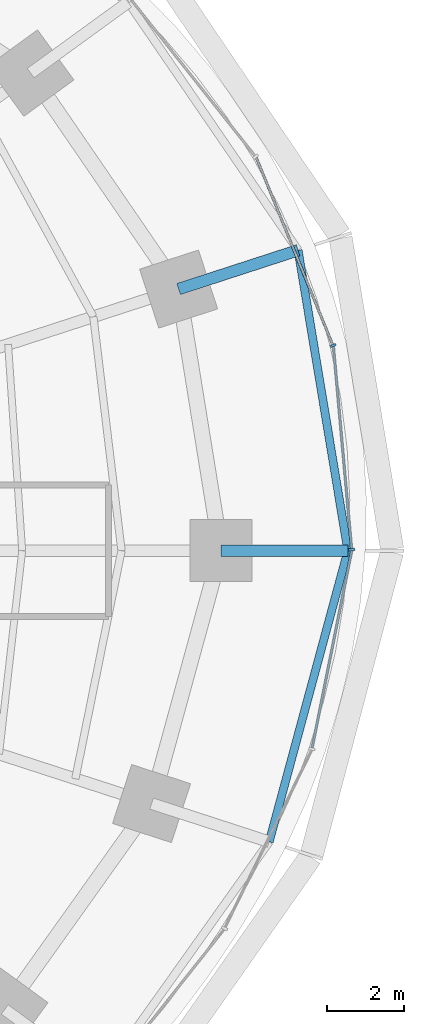
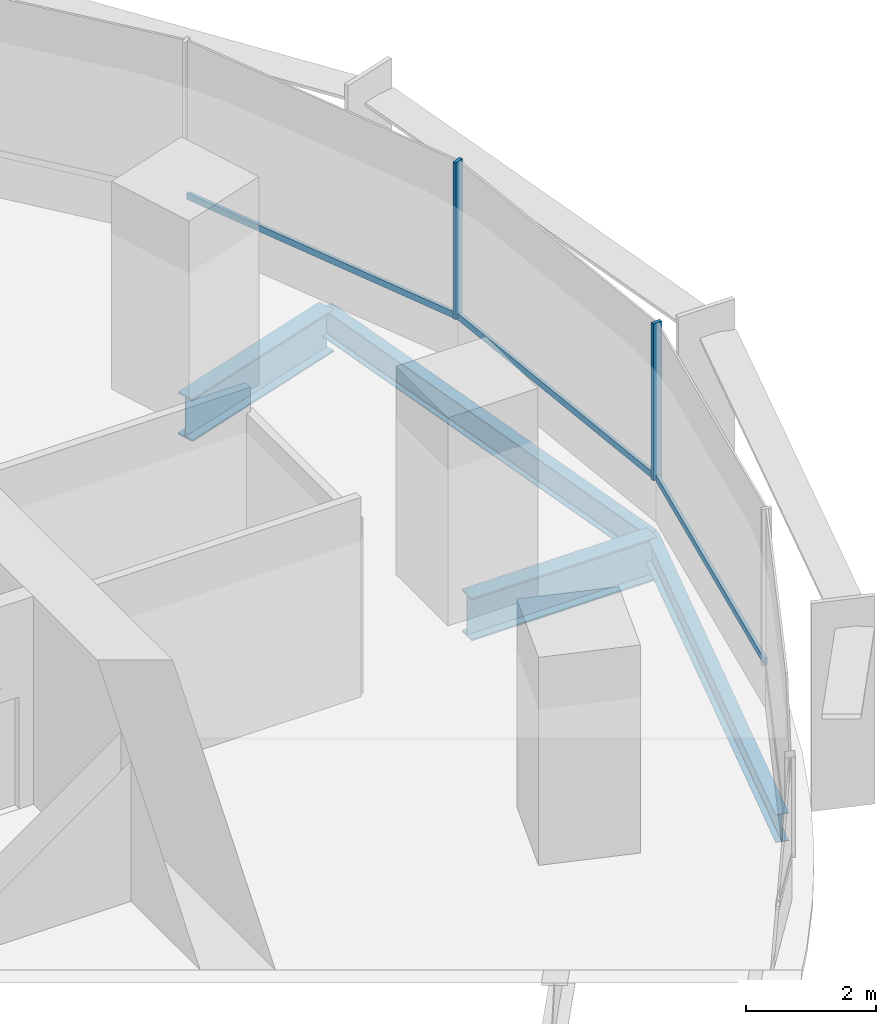
# One storey, part 6 of 14: 5 members, 4 beams, 2 elements without a shape of their own.
"""IFC4 building model written with IfcOpenShell, lengths in metres."""

from ifc_helpers import new_model, si_unit, direction, frame, origin, origin_2d, place, context, subcontext, project, spatial, rectangle, i_section, extrude, material, material_profile, profile_set, type_object, element, aggregate, save


model = new_model("IFC4")

# Units and contexts
model_context = context("Model", 3, precision=1e-05, world=origin(), true_north=direction((0.0, 1.0)))
body_context = subcontext(model_context, "Body", "Model", "MODEL_VIEW")
ifc_project = project(units=[si_unit("LENGTHUNIT", "METRE"), si_unit("AREAUNIT", "SQUARE_METRE"), si_unit("VOLUMEUNIT", "CUBIC_METRE"), si_unit("PLANEANGLEUNIT", "RADIAN"), si_unit("MASSUNIT", "GRAM", prefix="KILO")], contexts=[model_context])

# Site, building, storey
site_placement = place(None, origin())
site = spatial("IfcSite", under=ifc_project, at=site_placement, CompositionType="ELEMENT")
building_placement = place(site_placement, origin())
building = spatial("IfcBuilding", under=site, at=building_placement, Name="Marramba Exchange Tower", CompositionType="ELEMENT")
storey_placement = place(building_placement, frame((0.0, 0.0, 143.10009765625)))
storey = spatial("IfcBuildingStorey", under=building, at=storey_placement, Name="L34", CompositionType="ELEMENT", Elevation=143.10009765625)

# Beams
ifc_material_1 = material(Name="Steel AS/NZS 3679.2 grade 300", Category="steel")
ifc_material_profile_1 = material_profile(ifc_material_1, i_section(OverallWidth=0.300048828125, OverallDepth=0.800048828125, WebThickness=0.013916015625, FlangeThickness=0.031982421875, at=origin_2d()), Name="800WB192")
ifc_profile_set_1 = profile_set([ifc_material_profile_1], Name="Steel AS/NZS 3679.2 grade 300")
beam_type_1 = type_object("IfcBeamType", Name="Cantilever girder 800WB192", PredefinedType="BEAM", material=ifc_profile_set_1)
beam_1_placement = place(storey_placement, frame((21.89990234375, 0.0, -0.56005859375), z_axis=(1.0, 0.0, 0.0), x_axis=(0.0, 1.0, 0.0)))
element("IfcBeam", 1, at=beam_1_placement, inside=storey, type_object=beam_type_1, Name="Cantilever girder L34 TC01", PredefinedType="BEAM", context=body_context, shape_type="SweptSolid", body=[
    extrude(i_section(OverallWidth=0.300048828125, OverallDepth=0.800048828125, WebThickness=0.013916015625, FlangeThickness=0.031982421875, at=origin_2d()), origin(), (0.0, 0.0, 1.0), 3.281982421875),
])
beam_2_placement = place(storey_placement, frame((20.808349609375, 6.760986328125, -0.56005859375), z_axis=(0.95105562578, 0.309019735087, 0.0), x_axis=(-0.309019735087, 0.95105562578, 0.0)))
element("IfcBeam", 2, at=beam_2_placement, inside=storey, type_object=beam_type_1, Name="Cantilever girder L34 TC02", PredefinedType="BEAM", context=body_context, shape_type="SweptSolid", body=[
    extrude(i_section(OverallWidth=0.300048828125, OverallDepth=0.800048828125, WebThickness=0.013916015625, FlangeThickness=0.031982421875, at=origin_2d()), origin(), (0.0, 0.0, 1.0), 3.24560546875),
])

# Curtain wall, members
ifc_material_2 = material(Name="Aluminium framing, bronze anodised", Category="aluminium")
curtain_wall_type = type_object("IfcCurtainWallType", Name="Office ribbon curtain wall", PredefinedType="USERDEFINED", material=ifc_material_2)
curtain_wall_1_placement = place(storey_placement, origin())
curtain_wall_1 = element("IfcCurtainWall", 3, at=curtain_wall_1_placement, inside=storey, type_object=curtain_wall_type, Name="Curtain wall CW4 L34 F01-F05", ObjectType="RIBBON CURTAIN WALL", PredefinedType="USERDEFINED")
ifc_material_3 = material(Name="Aluminium mullion, bronze anodised", Category="aluminium")
ifc_material_profile_2 = material_profile(ifc_material_3, rectangle(XDim=0.159912109375, YDim=0.06005859375, at=origin_2d()), Name="CW4 mullion 60x160")
ifc_profile_set_2 = profile_set([ifc_material_profile_2], Name="Aluminium mullion, bronze anodised")
member_type_1 = type_object("IfcMemberType", Name="Office ribbon curtain wall mullion", PredefinedType="MULLION", material=ifc_profile_set_2)
member_1_placement = place(storey_placement, frame((25.279296875, 0.02978515625, 0.7998046875), z_axis=(0.0, 0.0, 1.0), x_axis=(-0.995994646311, -0.089412887889, 0.0)))
member_1 = element("IfcMember", 4, at=member_1_placement, type_object=member_type_1, Name="CW4 mullion 1", PredefinedType="MULLION", context=body_context, shape_type="SweptSolid", body=[
    extrude(rectangle(XDim=0.159912109375, YDim=0.06005859375, at=origin_2d()), origin(), (0.0, 0.0, 1.0), 2.940185546875),
])
member_2_placement = place(storey_placement, frame((24.79736328125, 5.301025390625, 0.7998046875), z_axis=(0.0, 0.0, 1.0), x_axis=(-0.925878584668, -0.377821183171, 0.0)))
member_2 = element("IfcMember", 5, at=member_2_placement, type_object=member_type_1, Name="CW4 mullion 1", PredefinedType="MULLION", context=body_context, shape_type="SweptSolid", body=[
    extrude(rectangle(XDim=0.159912109375, YDim=0.06005859375, at=origin_2d()), origin(), (0.0, 0.0, 1.0), 2.940185546875),
])
ifc_material_4 = material(Name="Aluminium transom, bronze anodised", Category="aluminium")
ifc_material_profile_3 = material_profile(ifc_material_4, rectangle(XDim=0.06005859375, YDim=0.1201171875, at=origin_2d()), Name="CW4 transom 60x120")
ifc_profile_set_3 = profile_set([ifc_material_profile_3], Name="Aluminium transom, bronze anodised")
member_type_2 = type_object("IfcMemberType", Name="Office ribbon curtain wall transom", PredefinedType="USERDEFINED", material=ifc_profile_set_3)
member_3_placement = place(storey_placement, frame((25.276611328125, 0.059814453125, 0.829833984375), z_axis=(-0.089412838135, 0.995994650777, 0.0), x_axis=(-0.995994650777, -0.089412838135, 0.0)))
member_3 = element("IfcMember", 6, at=member_3_placement, type_object=member_type_2, Name="CW4 sill transom", ObjectType="TRANSOM", PredefinedType="USERDEFINED", context=body_context, shape_type="SweptSolid", body=[
    extrude(rectangle(XDim=0.06005859375, YDim=0.1201171875, at=origin_2d()), origin(), (0.0, 0.0, 1.0), 5.234375),
])
member_4_placement = place(storey_placement, frame((24.785888671875, 5.328857421875, 0.829833984375), z_axis=(-0.377838039034, 0.925871706155, 0.0), x_axis=(-0.925871706155, -0.377838039034, 0.0)))
member_4 = element("IfcMember", 7, at=member_4_placement, type_object=member_type_2, Name="CW4 sill transom", ObjectType="TRANSOM", PredefinedType="USERDEFINED", context=body_context, shape_type="SweptSolid", body=[
    extrude(rectangle(XDim=0.06005859375, YDim=0.1201171875, at=origin_2d()), origin(), (0.0, 0.0, 1.0), 5.2158203125),
])
aggregate(curtain_wall_1, [member_1, member_3, member_2, member_4])

# Curtain wall, member
curtain_wall_2_placement = place(storey_placement, origin())
curtain_wall_2 = element("IfcCurtainWall", 8, at=curtain_wall_2_placement, inside=storey, type_object=curtain_wall_type, Name="Curtain wall CW4 L34 F26-F30", ObjectType="RIBBON CURTAIN WALL", PredefinedType="USERDEFINED")
member_5_placement = place(storey_placement, frame((24.258056640625, -5.094970703125, 0.829833984375), z_axis=(0.197028520451, 0.980397757101, 0.0), x_axis=(-0.980397757101, 0.197028520451, 0.0)))
member_5 = element("IfcMember", 9, at=member_5_placement, type_object=member_type_2, Name="CW4 sill transom", ObjectType="TRANSOM", PredefinedType="USERDEFINED", context=body_context, shape_type="SweptSolid", body=[
    extrude(rectangle(XDim=0.06005859375, YDim=0.1201171875, at=origin_2d()), origin(), (0.0, 0.0, 1.0), 5.19677734375),
])
aggregate(curtain_wall_2, [member_5])

# Beams
ifc_material_5 = material(Name="Steel AS/NZS 3679.1 grade 300", Category="steel")
ifc_material_profile_4 = material_profile(ifc_material_5, i_section(OverallWidth=0.208984375, OverallDepth=0.528076171875, WebThickness=0.009521484375, FlangeThickness=0.01318359375, FilletRadius=0.013916015625, at=origin_2d()), Name="530UB82.0")
ifc_profile_set_4 = profile_set([ifc_material_profile_4], Name="Steel AS/NZS 3679.1 grade 300")
beam_type_2 = type_object("IfcBeamType", Name="Slab edge beam 530UB82.0", PredefinedType="SPANDREL", material=ifc_profile_set_4)
beam_3_placement = place(storey_placement, frame((25.181884765625, 0.0, -0.424072265625), z_axis=(-0.163518559175, 0.986540258076, 0.0), x_axis=(-0.986540258076, -0.163518559175, 0.0)))
element("IfcBeam", 10, at=beam_3_placement, inside=storey, type_object=beam_type_2, Name="Slab edge beam L34 TC01-TC02", PredefinedType="SPANDREL", context=body_context, shape_type="SweptSolid", body=[
    extrude(i_section(OverallWidth=0.208984375, OverallDepth=0.528076171875, WebThickness=0.009521484375, FlangeThickness=0.01318359375, FilletRadius=0.013916015625, at=origin_2d()), origin(), (0.0, 0.0, 1.0), 7.869873046875),
])
beam_4_placement = place(storey_placement, frame((23.148681640625, -7.521484375, -0.424072265625), z_axis=(0.260953221575, 0.965351446961, 0.0), x_axis=(-0.965351446961, 0.260953221575, 0.0)))
element("IfcBeam", 11, at=beam_4_placement, inside=storey, type_object=beam_type_2, Name="Slab edge beam L34 TC20-TC01", PredefinedType="SPANDREL", context=body_context, shape_type="SweptSolid", body=[
    extrude(i_section(OverallWidth=0.208984375, OverallDepth=0.528076171875, WebThickness=0.009521484375, FlangeThickness=0.01318359375, FilletRadius=0.013916015625, at=origin_2d()), origin(), (0.0, 0.0, 1.0), 7.79150390625),
])

save(model, "model.ifc")
